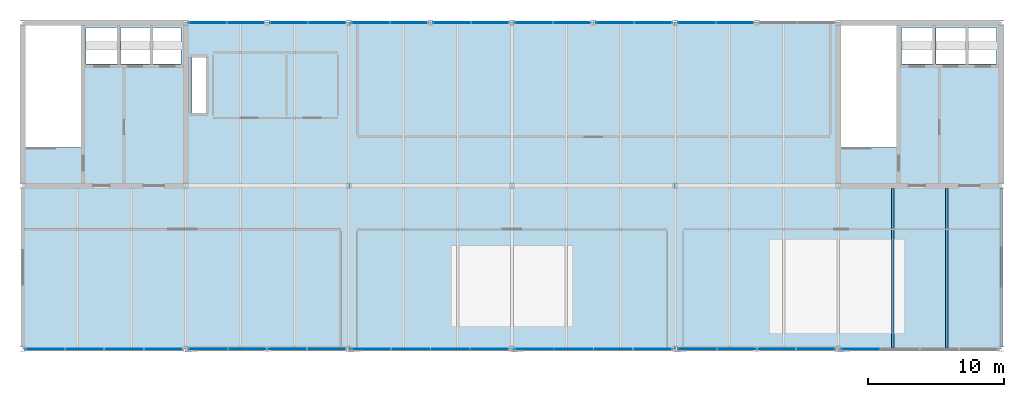
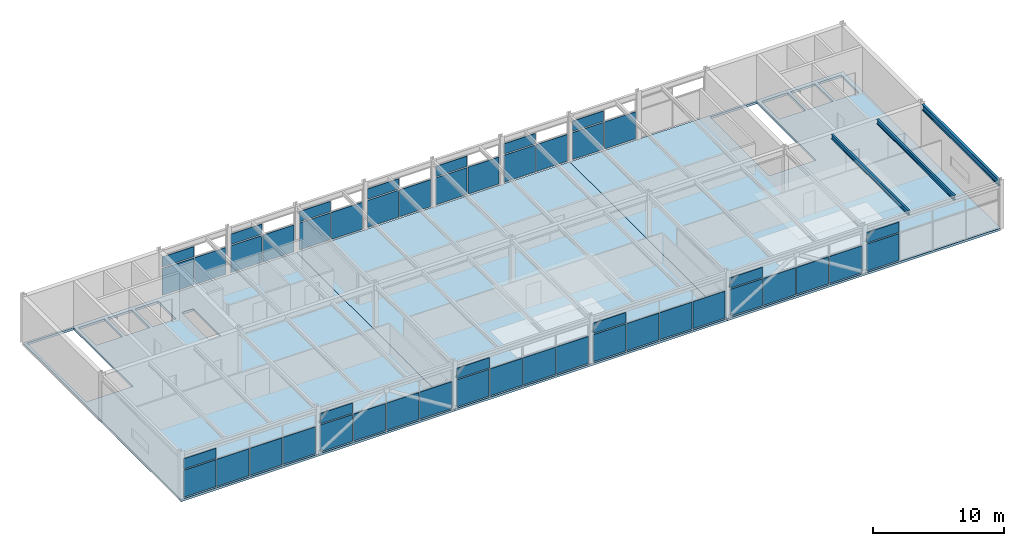
# One storey, part 25 of 28: 48 plates, 3 beams, 3 slabs, 13 elements without a shape of their own.
"""IFC4 building model written with IfcOpenShell, lengths in metres."""

from ifc_helpers import new_model, si_unit, direction, frame, origin, origin_2d, place, context, subcontext, project, spatial, polyline, rectangle, i_section, outline, extrude, material, layer, layer_set, material_profile, profile_set, type_object, element, aggregate, save


model = new_model("IFC4")

# Units and contexts
model_context = context("Model", 3, precision=1e-05, world=origin(), true_north=direction((0.0, 1.0)))
body_context = subcontext(model_context, "Body", "Model", "MODEL_VIEW")
ifc_project = project(units=[si_unit("LENGTHUNIT", "METRE"), si_unit("AREAUNIT", "SQUARE_METRE"), si_unit("VOLUMEUNIT", "CUBIC_METRE"), si_unit("PLANEANGLEUNIT", "RADIAN"), si_unit("MASSUNIT", "GRAM", prefix="KILO")], contexts=[model_context])

# Site, building, storey
site_placement = place(None, origin())
site = spatial("IfcSite", under=ifc_project, at=site_placement, CompositionType="ELEMENT")
building_placement = place(site_placement, origin())
building = spatial("IfcBuilding", under=site, at=building_placement, Name="Girod Span Mobility Hub", CompositionType="ELEMENT")
storey_placement = place(building_placement, frame((0.0, 0.0, 69.60009765625)))
storey = spatial("IfcBuildingStorey", under=building, at=storey_placement, Name="L17", CompositionType="ELEMENT", Elevation=69.60009765625)

# Beams
ifc_material_1 = material(Name="Steel A992 Grade 50", Category="steel")
ifc_material_profile_1 = material_profile(ifc_material_1, i_section(OverallWidth=0.178955078125, OverallDepth=0.409912109375, WebThickness=0.0087890625, FlangeThickness=0.014404296875, FilletRadius=0.012939453125, at=origin_2d()), Name="W16X45")
ifc_profile_set_1 = profile_set([ifc_material_profile_1], Name="Steel A992 Grade 50")
beam_type_1 = type_object("IfcBeamType", Name="BM-STL-W16X45", PredefinedType="BEAM", material=ifc_profile_set_1)
for number, where, z_axis, x_axis, name in (
    (1, (112.0, 45.10302734375, 4.1748046875), (0.0, 1.0, 0.0), (-1.0, 0.0, 0.0), "Composite Floorbeam 10/D-1 L17"),
    (2, (116.0, 45.10302734375, 4.1748046875), (0.0, 1.0, 0.0), (-1.0, 0.0, 0.0), "Composite Floorbeam 10/D-2 L17"),
):
    element("IfcBeam", number, at=place(storey_placement, frame(where, z_axis=z_axis, x_axis=x_axis)), inside=storey, type_object=beam_type_1, Name=name, PredefinedType="BEAM", context=body_context, shape_type="SweptSolid", body=[
        extrude(i_section(OverallWidth=0.178955078125, OverallDepth=0.409912109375, WebThickness=0.0087890625, FlangeThickness=0.014404296875, FilletRadius=0.012939453125, at=origin_2d()), origin(), (0.0, 0.0, 1.0), 11.699951171875),
    ])
ifc_material_2 = material(Name="Steel A992 Grade 50", Category="steel")
ifc_material_profile_2 = material_profile(ifc_material_2, i_section(OverallWidth=0.2119140625, OverallDepth=0.5439453125, WebThickness=0.01318359375, FlangeThickness=0.021240234375, FilletRadius=0.014892578125, at=origin_2d()), Name="W21X83")
ifc_profile_set_2 = profile_set([ifc_material_profile_2], Name="Steel A992 Grade 50")
beam_type_2 = type_object("IfcBeamType", Name="BM-STL-W21X83", PredefinedType="SPANDREL", material=ifc_profile_set_2)
beam_placement = place(storey_placement, frame((120.0, 45.175048828125, 4.10791015625), z_axis=(0.0, 1.0, 0.0), x_axis=(-1.0, 0.0, 0.0)))
element("IfcBeam", 3, at=beam_placement, inside=storey, type_object=beam_type_2, Name="Tie Girder 11/D-E L17", PredefinedType="SPANDREL", context=body_context, shape_type="SweptSolid", body=[
    extrude(i_section(OverallWidth=0.2119140625, OverallDepth=0.5439453125, WebThickness=0.01318359375, FlangeThickness=0.021240234375, FilletRadius=0.014892578125, at=origin_2d()), origin(), (0.0, 0.0, 1.0), 11.64990234375),
])

# Curtain wall, plate
ifc_material_3 = material(Name="Thermally Broken Anodised Aluminium", Category="aluminium")
curtain_wall_type_1 = type_object("IfcCurtainWallType", Name="CW-564X384", PredefinedType="USERDEFINED", material=ifc_material_3)
curtain_wall_1_placement = place(storey_placement, origin())
curtain_wall_1 = element("IfcCurtainWall", 4, at=curtain_wall_1_placement, inside=storey, type_object=curtain_wall_type_1, Name="Unitised Curtain Wall CW-L17-N06W L17", ObjectType="UNITISED CURTAIN WALL", PredefinedType="USERDEFINED")
ifc_material_4 = material(Name="Double Low-E Insulated Glazing", Category="glass")
ifc_layer_1 = layer(ifc_material_4, 0.05810546875)
ifc_layer_set_1 = layer_set([ifc_layer_1], Name="Double Low-E Insulated Glazing")
plate_type_1 = type_object("IfcPlateType", Name="PLT-SPN-2748X994X58", PredefinedType="CURTAIN_PANEL", material=ifc_layer_set_1)
plate_1_placement = place(storey_placement, frame((61.59130859375, 69.0, 2.76171875), z_axis=(0.0, 0.0, 1.0), x_axis=(1.0, 0.0, 0.0)))
plate_1 = element("IfcPlate", 5, at=plate_1_placement, type_object=plate_type_1, Name="Spandrel Glazing Panel CW-L17-N06W-S1", PredefinedType="CURTAIN_PANEL", context=body_context, shape_type="SweptSolid", body=[
    extrude(rectangle(XDim=2.75341796875, YDim=0.05810546875, at=origin_2d()), origin(), (0.0, 0.0, 1.0), 0.9541015625),
])

curtain_wall_2_placement = place(storey_placement, origin())
curtain_wall_2 = element("IfcCurtainWall", 6, at=curtain_wall_2_placement, inside=storey, type_object=curtain_wall_type_1, Name="Unitised Curtain Wall CW-L17-N06E L17", ObjectType="UNITISED CURTAIN WALL", PredefinedType="USERDEFINED")
plate_2_placement = place(storey_placement, frame((67.59130859375, 69.0, 2.76171875), z_axis=(0.0, 0.0, 1.0), x_axis=(1.0, 0.0, 0.0)))
plate_2 = element("IfcPlate", 7, at=plate_2_placement, type_object=plate_type_1, Name="Spandrel Glazing Panel CW-L17-N06E-S1", PredefinedType="CURTAIN_PANEL", context=body_context, shape_type="SweptSolid", body=[
    extrude(rectangle(XDim=2.75341796875, YDim=0.05810546875, at=origin_2d()), origin(), (0.0, 0.0, 1.0), 0.9541015625),
])

curtain_wall_3_placement = place(storey_placement, origin())
curtain_wall_3 = element("IfcCurtainWall", 8, at=curtain_wall_3_placement, inside=storey, type_object=curtain_wall_type_1, Name="Unitised Curtain Wall CW-L17-N07W L17", ObjectType="UNITISED CURTAIN WALL", PredefinedType="USERDEFINED")
plate_3_placement = place(storey_placement, frame((73.59130859375, 69.0, 2.76171875), z_axis=(0.0, 0.0, 1.0), x_axis=(1.0, 0.0, 0.0)))
plate_3 = element("IfcPlate", 9, at=plate_3_placement, type_object=plate_type_1, Name="Spandrel Glazing Panel CW-L17-N07W-S1", PredefinedType="CURTAIN_PANEL", context=body_context, shape_type="SweptSolid", body=[
    extrude(rectangle(XDim=2.75341796875, YDim=0.05810546875, at=origin_2d()), origin(), (0.0, 0.0, 1.0), 0.9541015625),
])

curtain_wall_4_placement = place(storey_placement, origin())
curtain_wall_4 = element("IfcCurtainWall", 10, at=curtain_wall_4_placement, inside=storey, type_object=curtain_wall_type_1, Name="Unitised Curtain Wall CW-L17-N07E L17", ObjectType="UNITISED CURTAIN WALL", PredefinedType="USERDEFINED")
plate_4_placement = place(storey_placement, frame((79.59130859375, 69.0, 2.76171875), z_axis=(0.0, 0.0, 1.0), x_axis=(1.0, 0.0, 0.0)))
plate_4 = element("IfcPlate", 11, at=plate_4_placement, type_object=plate_type_1, Name="Spandrel Glazing Panel CW-L17-N07E-S1", PredefinedType="CURTAIN_PANEL", context=body_context, shape_type="SweptSolid", body=[
    extrude(rectangle(XDim=2.75341796875, YDim=0.05810546875, at=origin_2d()), origin(), (0.0, 0.0, 1.0), 0.9541015625),
])

curtain_wall_5_placement = place(storey_placement, origin())
curtain_wall_5 = element("IfcCurtainWall", 12, at=curtain_wall_5_placement, inside=storey, type_object=curtain_wall_type_1, Name="Unitised Curtain Wall CW-L17-N08W L17", ObjectType="UNITISED CURTAIN WALL", PredefinedType="USERDEFINED")
plate_5_placement = place(storey_placement, frame((85.59130859375, 69.0, 2.76171875), z_axis=(0.0, 0.0, 1.0), x_axis=(1.0, 0.0, 0.0)))
plate_5 = element("IfcPlate", 13, at=plate_5_placement, type_object=plate_type_1, Name="Spandrel Glazing Panel CW-L17-N08W-S1", PredefinedType="CURTAIN_PANEL", context=body_context, shape_type="SweptSolid", body=[
    extrude(rectangle(XDim=2.75341796875, YDim=0.05810546875, at=origin_2d()), origin(), (0.0, 0.0, 1.0), 0.9541015625),
])

curtain_wall_6_placement = place(storey_placement, origin())
curtain_wall_6 = element("IfcCurtainWall", 14, at=curtain_wall_6_placement, inside=storey, type_object=curtain_wall_type_1, Name="Unitised Curtain Wall CW-L17-N08E L17", ObjectType="UNITISED CURTAIN WALL", PredefinedType="USERDEFINED")
plate_6_placement = place(storey_placement, frame((91.59130859375, 69.0, 2.76171875), z_axis=(0.0, 0.0, 1.0), x_axis=(1.0, 0.0, 0.0)))
plate_6 = element("IfcPlate", 15, at=plate_6_placement, type_object=plate_type_1, Name="Spandrel Glazing Panel CW-L17-N08E-S1", PredefinedType="CURTAIN_PANEL", context=body_context, shape_type="SweptSolid", body=[
    extrude(rectangle(XDim=2.75341796875, YDim=0.05810546875, at=origin_2d()), origin(), (0.0, 0.0, 1.0), 0.9541015625),
])

curtain_wall_7_placement = place(storey_placement, origin())
curtain_wall_7 = element("IfcCurtainWall", 16, at=curtain_wall_7_placement, inside=storey, type_object=curtain_wall_type_1, Name="Unitised Curtain Wall CW-L17-N09W L17", ObjectType="UNITISED CURTAIN WALL", PredefinedType="USERDEFINED")
plate_7_placement = place(storey_placement, frame((97.59130859375, 69.0, 2.76171875), z_axis=(0.0, 0.0, 1.0), x_axis=(1.0, 0.0, 0.0)))
plate_7 = element("IfcPlate", 17, at=plate_7_placement, type_object=plate_type_1, Name="Spandrel Glazing Panel CW-L17-N09W-S1", PredefinedType="CURTAIN_PANEL", context=body_context, shape_type="SweptSolid", body=[
    extrude(rectangle(XDim=2.75341796875, YDim=0.05810546875, at=origin_2d()), origin(), (0.0, 0.0, 1.0), 0.9541015625),
])

ifc_material_5 = material(Name="Thermally Broken Anodised Aluminium", Category="aluminium")
curtain_wall_type_2 = type_object("IfcCurtainWallType", Name="CW-1164X384", PredefinedType="USERDEFINED", material=ifc_material_5)
curtain_wall_8_placement = place(storey_placement, origin())
curtain_wall_8 = element("IfcCurtainWall", 18, at=curtain_wall_8_placement, inside=storey, type_object=curtain_wall_type_2, Name="Unitised Curtain Wall CW-L17-S05 L17", ObjectType="UNITISED CURTAIN WALL", PredefinedType="USERDEFINED")
ifc_material_6 = material(Name="Double Low-E Insulated Glazing", Category="glass")
ifc_layer_2 = layer(ifc_material_6, 0.05810546875)
ifc_layer_set_2 = layer_set([ifc_layer_2], Name="Double Low-E Insulated Glazing")
plate_type_2 = type_object("IfcPlateType", Name="PLT-SPN-2839X994X58", PredefinedType="CURTAIN_PANEL", material=ifc_layer_set_2)
plate_8_placement = place(storey_placement, frame((49.636962890625, 45.0, 2.76171875), z_axis=(0.0, 0.0, 1.0), x_axis=(1.0, 0.0, 0.0)))
plate_8 = element("IfcPlate", 19, at=plate_8_placement, type_object=plate_type_2, Name="Spandrel Glazing Panel CW-L17-S05-S1", PredefinedType="CURTAIN_PANEL", context=body_context, shape_type="SweptSolid", body=[
    extrude(rectangle(XDim=2.8447265625, YDim=0.05810546875, at=origin_2d()), origin(), (0.0, 0.0, 1.0), 0.9541015625),
])

curtain_wall_9_placement = place(storey_placement, origin())
curtain_wall_9 = element("IfcCurtainWall", 20, at=curtain_wall_9_placement, inside=storey, type_object=curtain_wall_type_2, Name="Unitised Curtain Wall CW-L17-S06 L17", ObjectType="UNITISED CURTAIN WALL", PredefinedType="USERDEFINED")
plate_9_placement = place(storey_placement, frame((61.636962890625, 45.0, 2.76171875), z_axis=(0.0, 0.0, 1.0), x_axis=(1.0, 0.0, 0.0)))
plate_9 = element("IfcPlate", 21, at=plate_9_placement, type_object=plate_type_2, Name="Spandrel Glazing Panel CW-L17-S06-S1", PredefinedType="CURTAIN_PANEL", context=body_context, shape_type="SweptSolid", body=[
    extrude(rectangle(XDim=2.8447265625, YDim=0.05810546875, at=origin_2d()), origin(), (0.0, 0.0, 1.0), 0.9541015625),
])

curtain_wall_10_placement = place(storey_placement, origin())
curtain_wall_10 = element("IfcCurtainWall", 22, at=curtain_wall_10_placement, inside=storey, type_object=curtain_wall_type_2, Name="Unitised Curtain Wall CW-L17-S07 L17", ObjectType="UNITISED CURTAIN WALL", PredefinedType="USERDEFINED")
plate_10_placement = place(storey_placement, frame((73.636962890625, 45.0, 2.76171875), z_axis=(0.0, 0.0, 1.0), x_axis=(1.0, 0.0, 0.0)))
plate_10 = element("IfcPlate", 23, at=plate_10_placement, type_object=plate_type_2, Name="Spandrel Glazing Panel CW-L17-S07-S1", PredefinedType="CURTAIN_PANEL", context=body_context, shape_type="SweptSolid", body=[
    extrude(rectangle(XDim=2.8447265625, YDim=0.05810546875, at=origin_2d()), origin(), (0.0, 0.0, 1.0), 0.9541015625),
])

curtain_wall_11_placement = place(storey_placement, origin())
curtain_wall_11 = element("IfcCurtainWall", 24, at=curtain_wall_11_placement, inside=storey, type_object=curtain_wall_type_2, Name="Unitised Curtain Wall CW-L17-S08 L17", ObjectType="UNITISED CURTAIN WALL", PredefinedType="USERDEFINED")
plate_11_placement = place(storey_placement, frame((85.636962890625, 45.0, 2.76171875), z_axis=(0.0, 0.0, 1.0), x_axis=(1.0, 0.0, 0.0)))
plate_11 = element("IfcPlate", 25, at=plate_11_placement, type_object=plate_type_2, Name="Spandrel Glazing Panel CW-L17-S08-S1", PredefinedType="CURTAIN_PANEL", context=body_context, shape_type="SweptSolid", body=[
    extrude(rectangle(XDim=2.8447265625, YDim=0.05810546875, at=origin_2d()), origin(), (0.0, 0.0, 1.0), 0.9541015625),
])

curtain_wall_12_placement = place(storey_placement, origin())
curtain_wall_12 = element("IfcCurtainWall", 26, at=curtain_wall_12_placement, inside=storey, type_object=curtain_wall_type_2, Name="Unitised Curtain Wall CW-L17-S09 L17", ObjectType="UNITISED CURTAIN WALL", PredefinedType="USERDEFINED")
plate_12_placement = place(storey_placement, frame((97.636962890625, 45.0, 2.76171875), z_axis=(0.0, 0.0, 1.0), x_axis=(1.0, 0.0, 0.0)))
plate_12 = element("IfcPlate", 27, at=plate_12_placement, type_object=plate_type_2, Name="Spandrel Glazing Panel CW-L17-S09-S1", PredefinedType="CURTAIN_PANEL", context=body_context, shape_type="SweptSolid", body=[
    extrude(rectangle(XDim=2.8447265625, YDim=0.05810546875, at=origin_2d()), origin(), (0.0, 0.0, 1.0), 0.9541015625),
])

curtain_wall_13_placement = place(storey_placement, origin())
curtain_wall_13 = element("IfcCurtainWall", 28, at=curtain_wall_13_placement, inside=storey, type_object=curtain_wall_type_2, Name="Unitised Curtain Wall CW-L17-S10 L17", ObjectType="UNITISED CURTAIN WALL", PredefinedType="USERDEFINED")
plate_13_placement = place(storey_placement, frame((109.636962890625, 45.0, 2.76171875), z_axis=(0.0, 0.0, 1.0), x_axis=(1.0, 0.0, 0.0)))
plate_13 = element("IfcPlate", 29, at=plate_13_placement, type_object=plate_type_2, Name="Spandrel Glazing Panel CW-L17-S10-S1", PredefinedType="CURTAIN_PANEL", context=body_context, shape_type="SweptSolid", body=[
    extrude(rectangle(XDim=2.8447265625, YDim=0.05810546875, at=origin_2d()), origin(), (0.0, 0.0, 1.0), 0.9541015625),
])

# Plate
ifc_material_7 = material(Name="Double Low-E Insulated Glazing", Category="glass")
ifc_layer_3 = layer(ifc_material_7, 0.0458984375)
ifc_layer_set_3 = layer_set([ifc_layer_3], Name="Double Low-E Insulated Glazing")
plate_type_3 = type_object("IfcPlateType", Name="PLT-VIS-2748X2762X46", PredefinedType="CURTAIN_PANEL", material=ifc_layer_set_3)
plate_14_placement = place(storey_placement, frame((61.59130859375, 69.0, 0.139892578125), z_axis=(0.0, 0.0, 1.0), x_axis=(1.0, 0.0, 0.0)))
plate_14 = element("IfcPlate", 30, at=plate_14_placement, type_object=plate_type_3, Name="Vision Glazing Panel CW-L17-N06W-V1", PredefinedType="CURTAIN_PANEL", context=body_context, shape_type="SweptSolid", body=[
    extrude(rectangle(XDim=2.75341796875, YDim=0.0458984375, at=origin_2d()), origin(), (0.0, 0.0, 1.0), 2.501953125),
])

plate_15_placement = place(storey_placement, frame((64.40869140625, 69.0, 0.139892578125), z_axis=(0.0, 0.0, 1.0), x_axis=(1.0, 0.0, 0.0)))
plate_15 = element("IfcPlate", 31, at=plate_15_placement, type_object=plate_type_3, Name="Vision Glazing Panel CW-L17-N06W-V2", PredefinedType="CURTAIN_PANEL", context=body_context, shape_type="SweptSolid", body=[
    extrude(rectangle(XDim=2.75341796875, YDim=0.0458984375, at=origin_2d()), origin(), (0.0, 0.0, 1.0), 2.501953125),
])

aggregate(curtain_wall_1, [plate_14, plate_1, plate_15])

plate_16_placement = place(storey_placement, frame((67.59130859375, 69.0, 0.139892578125), z_axis=(0.0, 0.0, 1.0), x_axis=(1.0, 0.0, 0.0)))
plate_16 = element("IfcPlate", 32, at=plate_16_placement, type_object=plate_type_3, Name="Vision Glazing Panel CW-L17-N06E-V1", PredefinedType="CURTAIN_PANEL", context=body_context, shape_type="SweptSolid", body=[
    extrude(rectangle(XDim=2.75341796875, YDim=0.0458984375, at=origin_2d()), origin(), (0.0, 0.0, 1.0), 2.501953125),
])

plate_17_placement = place(storey_placement, frame((70.40869140625, 69.0, 0.139892578125), z_axis=(0.0, 0.0, 1.0), x_axis=(1.0, 0.0, 0.0)))
plate_17 = element("IfcPlate", 33, at=plate_17_placement, type_object=plate_type_3, Name="Vision Glazing Panel CW-L17-N06E-V2", PredefinedType="CURTAIN_PANEL", context=body_context, shape_type="SweptSolid", body=[
    extrude(rectangle(XDim=2.75341796875, YDim=0.0458984375, at=origin_2d()), origin(), (0.0, 0.0, 1.0), 2.501953125),
])

aggregate(curtain_wall_2, [plate_16, plate_2, plate_17])

plate_18_placement = place(storey_placement, frame((73.59130859375, 69.0, 0.139892578125), z_axis=(0.0, 0.0, 1.0), x_axis=(1.0, 0.0, 0.0)))
plate_18 = element("IfcPlate", 34, at=plate_18_placement, type_object=plate_type_3, Name="Vision Glazing Panel CW-L17-N07W-V1", PredefinedType="CURTAIN_PANEL", context=body_context, shape_type="SweptSolid", body=[
    extrude(rectangle(XDim=2.75341796875, YDim=0.0458984375, at=origin_2d()), origin(), (0.0, 0.0, 1.0), 2.501953125),
])

plate_19_placement = place(storey_placement, frame((76.40869140625, 69.0, 0.139892578125), z_axis=(0.0, 0.0, 1.0), x_axis=(1.0, 0.0, 0.0)))
plate_19 = element("IfcPlate", 35, at=plate_19_placement, type_object=plate_type_3, Name="Vision Glazing Panel CW-L17-N07W-V2", PredefinedType="CURTAIN_PANEL", context=body_context, shape_type="SweptSolid", body=[
    extrude(rectangle(XDim=2.75341796875, YDim=0.0458984375, at=origin_2d()), origin(), (0.0, 0.0, 1.0), 2.501953125),
])

aggregate(curtain_wall_3, [plate_18, plate_3, plate_19])

plate_20_placement = place(storey_placement, frame((79.59130859375, 69.0, 0.139892578125), z_axis=(0.0, 0.0, 1.0), x_axis=(1.0, 0.0, 0.0)))
plate_20 = element("IfcPlate", 36, at=plate_20_placement, type_object=plate_type_3, Name="Vision Glazing Panel CW-L17-N07E-V1", PredefinedType="CURTAIN_PANEL", context=body_context, shape_type="SweptSolid", body=[
    extrude(rectangle(XDim=2.75341796875, YDim=0.0458984375, at=origin_2d()), origin(), (0.0, 0.0, 1.0), 2.501953125),
])

plate_21_placement = place(storey_placement, frame((82.40869140625, 69.0, 0.139892578125), z_axis=(0.0, 0.0, 1.0), x_axis=(1.0, 0.0, 0.0)))
plate_21 = element("IfcPlate", 37, at=plate_21_placement, type_object=plate_type_3, Name="Vision Glazing Panel CW-L17-N07E-V2", PredefinedType="CURTAIN_PANEL", context=body_context, shape_type="SweptSolid", body=[
    extrude(rectangle(XDim=2.75341796875, YDim=0.0458984375, at=origin_2d()), origin(), (0.0, 0.0, 1.0), 2.501953125),
])

aggregate(curtain_wall_4, [plate_20, plate_4, plate_21])

plate_22_placement = place(storey_placement, frame((85.59130859375, 69.0, 0.139892578125), z_axis=(0.0, 0.0, 1.0), x_axis=(1.0, 0.0, 0.0)))
plate_22 = element("IfcPlate", 38, at=plate_22_placement, type_object=plate_type_3, Name="Vision Glazing Panel CW-L17-N08W-V1", PredefinedType="CURTAIN_PANEL", context=body_context, shape_type="SweptSolid", body=[
    extrude(rectangle(XDim=2.75341796875, YDim=0.0458984375, at=origin_2d()), origin(), (0.0, 0.0, 1.0), 2.501953125),
])

plate_23_placement = place(storey_placement, frame((88.40869140625, 69.0, 0.139892578125), z_axis=(0.0, 0.0, 1.0), x_axis=(1.0, 0.0, 0.0)))
plate_23 = element("IfcPlate", 39, at=plate_23_placement, type_object=plate_type_3, Name="Vision Glazing Panel CW-L17-N08W-V2", PredefinedType="CURTAIN_PANEL", context=body_context, shape_type="SweptSolid", body=[
    extrude(rectangle(XDim=2.75341796875, YDim=0.0458984375, at=origin_2d()), origin(), (0.0, 0.0, 1.0), 2.501953125),
])

aggregate(curtain_wall_5, [plate_22, plate_5, plate_23])

plate_24_placement = place(storey_placement, frame((91.59130859375, 69.0, 0.139892578125), z_axis=(0.0, 0.0, 1.0), x_axis=(1.0, 0.0, 0.0)))
plate_24 = element("IfcPlate", 40, at=plate_24_placement, type_object=plate_type_3, Name="Vision Glazing Panel CW-L17-N08E-V1", PredefinedType="CURTAIN_PANEL", context=body_context, shape_type="SweptSolid", body=[
    extrude(rectangle(XDim=2.75341796875, YDim=0.0458984375, at=origin_2d()), origin(), (0.0, 0.0, 1.0), 2.501953125),
])

plate_25_placement = place(storey_placement, frame((94.40869140625, 69.0, 0.139892578125), z_axis=(0.0, 0.0, 1.0), x_axis=(1.0, 0.0, 0.0)))
plate_25 = element("IfcPlate", 41, at=plate_25_placement, type_object=plate_type_3, Name="Vision Glazing Panel CW-L17-N08E-V2", PredefinedType="CURTAIN_PANEL", context=body_context, shape_type="SweptSolid", body=[
    extrude(rectangle(XDim=2.75341796875, YDim=0.0458984375, at=origin_2d()), origin(), (0.0, 0.0, 1.0), 2.501953125),
])

aggregate(curtain_wall_6, [plate_24, plate_6, plate_25])

plate_26_placement = place(storey_placement, frame((97.59130859375, 69.0, 0.139892578125), z_axis=(0.0, 0.0, 1.0), x_axis=(1.0, 0.0, 0.0)))
plate_26 = element("IfcPlate", 42, at=plate_26_placement, type_object=plate_type_3, Name="Vision Glazing Panel CW-L17-N09W-V1", PredefinedType="CURTAIN_PANEL", context=body_context, shape_type="SweptSolid", body=[
    extrude(rectangle(XDim=2.75341796875, YDim=0.0458984375, at=origin_2d()), origin(), (0.0, 0.0, 1.0), 2.501953125),
])

plate_27_placement = place(storey_placement, frame((100.40869140625, 69.0, 0.139892578125), z_axis=(0.0, 0.0, 1.0), x_axis=(1.0, 0.0, 0.0)))
plate_27 = element("IfcPlate", 43, at=plate_27_placement, type_object=plate_type_3, Name="Vision Glazing Panel CW-L17-N09W-V2", PredefinedType="CURTAIN_PANEL", context=body_context, shape_type="SweptSolid", body=[
    extrude(rectangle(XDim=2.75341796875, YDim=0.0458984375, at=origin_2d()), origin(), (0.0, 0.0, 1.0), 2.501953125),
])

aggregate(curtain_wall_7, [plate_26, plate_7, plate_27])

ifc_material_8 = material(Name="Double Low-E Insulated Glazing", Category="glass")
ifc_layer_4 = layer(ifc_material_8, 0.0458984375)
ifc_layer_set_4 = layer_set([ifc_layer_4], Name="Double Low-E Insulated Glazing")
plate_type_4 = type_object("IfcPlateType", Name="PLT-VIS-2839X2762X46", PredefinedType="CURTAIN_PANEL", material=ifc_layer_set_4)
plate_28_placement = place(storey_placement, frame((49.636962890625, 45.0, 0.139892578125), z_axis=(0.0, 0.0, 1.0), x_axis=(1.0, 0.0, 0.0)))
plate_28 = element("IfcPlate", 44, at=plate_28_placement, type_object=plate_type_4, Name="Vision Glazing Panel CW-L17-S05-V1", PredefinedType="CURTAIN_PANEL", context=body_context, shape_type="SweptSolid", body=[
    extrude(rectangle(XDim=2.8447265625, YDim=0.0458984375, at=origin_2d()), origin(), (0.0, 0.0, 1.0), 2.501953125),
])

plate_29_placement = place(storey_placement, frame((52.545654296875, 45.0, 0.139892578125), z_axis=(0.0, 0.0, 1.0), x_axis=(1.0, 0.0, 0.0)))
plate_29 = element("IfcPlate", 45, at=plate_29_placement, type_object=plate_type_4, Name="Vision Glazing Panel CW-L17-S05-V2", PredefinedType="CURTAIN_PANEL", context=body_context, shape_type="SweptSolid", body=[
    extrude(rectangle(XDim=2.8447265625, YDim=0.0458984375, at=origin_2d()), origin(), (0.0, 0.0, 1.0), 2.501953125),
])

plate_30_placement = place(storey_placement, frame((55.454345703125, 45.0, 0.139892578125), z_axis=(0.0, 0.0, 1.0), x_axis=(1.0, 0.0, 0.0)))
plate_30 = element("IfcPlate", 46, at=plate_30_placement, type_object=plate_type_4, Name="Vision Glazing Panel CW-L17-S05-V3", PredefinedType="CURTAIN_PANEL", context=body_context, shape_type="SweptSolid", body=[
    extrude(rectangle(XDim=2.8447265625, YDim=0.0458984375, at=origin_2d()), origin(), (0.0, 0.0, 1.0), 2.501953125),
])

plate_31_placement = place(storey_placement, frame((58.363037109375, 45.0, 0.139892578125), z_axis=(0.0, 0.0, 1.0), x_axis=(1.0, 0.0, 0.0)))
plate_31 = element("IfcPlate", 47, at=plate_31_placement, type_object=plate_type_4, Name="Vision Glazing Panel CW-L17-S05-V4", PredefinedType="CURTAIN_PANEL", context=body_context, shape_type="SweptSolid", body=[
    extrude(rectangle(XDim=2.8447265625, YDim=0.0458984375, at=origin_2d()), origin(), (0.0, 0.0, 1.0), 2.501953125),
])

aggregate(curtain_wall_8, [plate_28, plate_8, plate_29, plate_30, plate_31])

plate_32_placement = place(storey_placement, frame((61.636962890625, 45.0, 0.139892578125), z_axis=(0.0, 0.0, 1.0), x_axis=(1.0, 0.0, 0.0)))
plate_32 = element("IfcPlate", 48, at=plate_32_placement, type_object=plate_type_4, Name="Vision Glazing Panel CW-L17-S06-V1", PredefinedType="CURTAIN_PANEL", context=body_context, shape_type="SweptSolid", body=[
    extrude(rectangle(XDim=2.8447265625, YDim=0.0458984375, at=origin_2d()), origin(), (0.0, 0.0, 1.0), 2.501953125),
])

plate_33_placement = place(storey_placement, frame((64.545654296875, 45.0, 0.139892578125), z_axis=(0.0, 0.0, 1.0), x_axis=(1.0, 0.0, 0.0)))
plate_33 = element("IfcPlate", 49, at=plate_33_placement, type_object=plate_type_4, Name="Vision Glazing Panel CW-L17-S06-V2", PredefinedType="CURTAIN_PANEL", context=body_context, shape_type="SweptSolid", body=[
    extrude(rectangle(XDim=2.8447265625, YDim=0.0458984375, at=origin_2d()), origin(), (0.0, 0.0, 1.0), 2.501953125),
])

plate_34_placement = place(storey_placement, frame((67.454345703125, 45.0, 0.139892578125), z_axis=(0.0, 0.0, 1.0), x_axis=(1.0, 0.0, 0.0)))
plate_34 = element("IfcPlate", 50, at=plate_34_placement, type_object=plate_type_4, Name="Vision Glazing Panel CW-L17-S06-V3", PredefinedType="CURTAIN_PANEL", context=body_context, shape_type="SweptSolid", body=[
    extrude(rectangle(XDim=2.8447265625, YDim=0.0458984375, at=origin_2d()), origin(), (0.0, 0.0, 1.0), 2.501953125),
])

plate_35_placement = place(storey_placement, frame((70.363037109375, 45.0, 0.139892578125), z_axis=(0.0, 0.0, 1.0), x_axis=(1.0, 0.0, 0.0)))
plate_35 = element("IfcPlate", 51, at=plate_35_placement, type_object=plate_type_4, Name="Vision Glazing Panel CW-L17-S06-V4", PredefinedType="CURTAIN_PANEL", context=body_context, shape_type="SweptSolid", body=[
    extrude(rectangle(XDim=2.8447265625, YDim=0.0458984375, at=origin_2d()), origin(), (0.0, 0.0, 1.0), 2.501953125),
])

aggregate(curtain_wall_9, [plate_32, plate_9, plate_33, plate_34, plate_35])

plate_36_placement = place(storey_placement, frame((73.636962890625, 45.0, 0.139892578125), z_axis=(0.0, 0.0, 1.0), x_axis=(1.0, 0.0, 0.0)))
plate_36 = element("IfcPlate", 52, at=plate_36_placement, type_object=plate_type_4, Name="Vision Glazing Panel CW-L17-S07-V1", PredefinedType="CURTAIN_PANEL", context=body_context, shape_type="SweptSolid", body=[
    extrude(rectangle(XDim=2.8447265625, YDim=0.0458984375, at=origin_2d()), origin(), (0.0, 0.0, 1.0), 2.501953125),
])

plate_37_placement = place(storey_placement, frame((76.545654296875, 45.0, 0.139892578125), z_axis=(0.0, 0.0, 1.0), x_axis=(1.0, 0.0, 0.0)))
plate_37 = element("IfcPlate", 53, at=plate_37_placement, type_object=plate_type_4, Name="Vision Glazing Panel CW-L17-S07-V2", PredefinedType="CURTAIN_PANEL", context=body_context, shape_type="SweptSolid", body=[
    extrude(rectangle(XDim=2.8447265625, YDim=0.0458984375, at=origin_2d()), origin(), (0.0, 0.0, 1.0), 2.501953125),
])

plate_38_placement = place(storey_placement, frame((79.454345703125, 45.0, 0.139892578125), z_axis=(0.0, 0.0, 1.0), x_axis=(1.0, 0.0, 0.0)))
plate_38 = element("IfcPlate", 54, at=plate_38_placement, type_object=plate_type_4, Name="Vision Glazing Panel CW-L17-S07-V3", PredefinedType="CURTAIN_PANEL", context=body_context, shape_type="SweptSolid", body=[
    extrude(rectangle(XDim=2.8447265625, YDim=0.0458984375, at=origin_2d()), origin(), (0.0, 0.0, 1.0), 2.501953125),
])

plate_39_placement = place(storey_placement, frame((82.363037109375, 45.0, 0.139892578125), z_axis=(0.0, 0.0, 1.0), x_axis=(1.0, 0.0, 0.0)))
plate_39 = element("IfcPlate", 55, at=plate_39_placement, type_object=plate_type_4, Name="Vision Glazing Panel CW-L17-S07-V4", PredefinedType="CURTAIN_PANEL", context=body_context, shape_type="SweptSolid", body=[
    extrude(rectangle(XDim=2.8447265625, YDim=0.0458984375, at=origin_2d()), origin(), (0.0, 0.0, 1.0), 2.501953125),
])

aggregate(curtain_wall_10, [plate_36, plate_10, plate_37, plate_38, plate_39])

plate_40_placement = place(storey_placement, frame((85.636962890625, 45.0, 0.139892578125), z_axis=(0.0, 0.0, 1.0), x_axis=(1.0, 0.0, 0.0)))
plate_40 = element("IfcPlate", 56, at=plate_40_placement, type_object=plate_type_4, Name="Vision Glazing Panel CW-L17-S08-V1", PredefinedType="CURTAIN_PANEL", context=body_context, shape_type="SweptSolid", body=[
    extrude(rectangle(XDim=2.8447265625, YDim=0.0458984375, at=origin_2d()), origin(), (0.0, 0.0, 1.0), 2.501953125),
])

plate_41_placement = place(storey_placement, frame((88.545654296875, 45.0, 0.139892578125), z_axis=(0.0, 0.0, 1.0), x_axis=(1.0, 0.0, 0.0)))
plate_41 = element("IfcPlate", 57, at=plate_41_placement, type_object=plate_type_4, Name="Vision Glazing Panel CW-L17-S08-V2", PredefinedType="CURTAIN_PANEL", context=body_context, shape_type="SweptSolid", body=[
    extrude(rectangle(XDim=2.8447265625, YDim=0.0458984375, at=origin_2d()), origin(), (0.0, 0.0, 1.0), 2.501953125),
])

plate_42_placement = place(storey_placement, frame((91.454345703125, 45.0, 0.139892578125), z_axis=(0.0, 0.0, 1.0), x_axis=(1.0, 0.0, 0.0)))
plate_42 = element("IfcPlate", 58, at=plate_42_placement, type_object=plate_type_4, Name="Vision Glazing Panel CW-L17-S08-V3", PredefinedType="CURTAIN_PANEL", context=body_context, shape_type="SweptSolid", body=[
    extrude(rectangle(XDim=2.8447265625, YDim=0.0458984375, at=origin_2d()), origin(), (0.0, 0.0, 1.0), 2.501953125),
])

plate_43_placement = place(storey_placement, frame((94.363037109375, 45.0, 0.139892578125), z_axis=(0.0, 0.0, 1.0), x_axis=(1.0, 0.0, 0.0)))
plate_43 = element("IfcPlate", 59, at=plate_43_placement, type_object=plate_type_4, Name="Vision Glazing Panel CW-L17-S08-V4", PredefinedType="CURTAIN_PANEL", context=body_context, shape_type="SweptSolid", body=[
    extrude(rectangle(XDim=2.8447265625, YDim=0.0458984375, at=origin_2d()), origin(), (0.0, 0.0, 1.0), 2.501953125),
])

aggregate(curtain_wall_11, [plate_40, plate_11, plate_41, plate_42, plate_43])

plate_44_placement = place(storey_placement, frame((97.636962890625, 45.0, 0.139892578125), z_axis=(0.0, 0.0, 1.0), x_axis=(1.0, 0.0, 0.0)))
plate_44 = element("IfcPlate", 60, at=plate_44_placement, type_object=plate_type_4, Name="Vision Glazing Panel CW-L17-S09-V1", PredefinedType="CURTAIN_PANEL", context=body_context, shape_type="SweptSolid", body=[
    extrude(rectangle(XDim=2.8447265625, YDim=0.0458984375, at=origin_2d()), origin(), (0.0, 0.0, 1.0), 2.501953125),
])

plate_45_placement = place(storey_placement, frame((100.545654296875, 45.0, 0.139892578125), z_axis=(0.0, 0.0, 1.0), x_axis=(1.0, 0.0, 0.0)))
plate_45 = element("IfcPlate", 61, at=plate_45_placement, type_object=plate_type_4, Name="Vision Glazing Panel CW-L17-S09-V2", PredefinedType="CURTAIN_PANEL", context=body_context, shape_type="SweptSolid", body=[
    extrude(rectangle(XDim=2.8447265625, YDim=0.0458984375, at=origin_2d()), origin(), (0.0, 0.0, 1.0), 2.501953125),
])

plate_46_placement = place(storey_placement, frame((103.454345703125, 45.0, 0.139892578125), z_axis=(0.0, 0.0, 1.0), x_axis=(1.0, 0.0, 0.0)))
plate_46 = element("IfcPlate", 62, at=plate_46_placement, type_object=plate_type_4, Name="Vision Glazing Panel CW-L17-S09-V3", PredefinedType="CURTAIN_PANEL", context=body_context, shape_type="SweptSolid", body=[
    extrude(rectangle(XDim=2.8447265625, YDim=0.0458984375, at=origin_2d()), origin(), (0.0, 0.0, 1.0), 2.501953125),
])

plate_47_placement = place(storey_placement, frame((106.363037109375, 45.0, 0.139892578125), z_axis=(0.0, 0.0, 1.0), x_axis=(1.0, 0.0, 0.0)))
plate_47 = element("IfcPlate", 63, at=plate_47_placement, type_object=plate_type_4, Name="Vision Glazing Panel CW-L17-S09-V4", PredefinedType="CURTAIN_PANEL", context=body_context, shape_type="SweptSolid", body=[
    extrude(rectangle(XDim=2.8447265625, YDim=0.0458984375, at=origin_2d()), origin(), (0.0, 0.0, 1.0), 2.501953125),
])

aggregate(curtain_wall_12, [plate_44, plate_12, plate_45, plate_46, plate_47])

plate_48_placement = place(storey_placement, frame((109.636962890625, 45.0, 0.139892578125), z_axis=(0.0, 0.0, 1.0), x_axis=(1.0, 0.0, 0.0)))
plate_48 = element("IfcPlate", 64, at=plate_48_placement, type_object=plate_type_4, Name="Vision Glazing Panel CW-L17-S10-V1", PredefinedType="CURTAIN_PANEL", context=body_context, shape_type="SweptSolid", body=[
    extrude(rectangle(XDim=2.8447265625, YDim=0.0458984375, at=origin_2d()), origin(), (0.0, 0.0, 1.0), 2.501953125),
])

aggregate(curtain_wall_13, [plate_48, plate_13])

# Slabs
ifc_material_9 = material(Name="Concrete C40/50", Category="concrete")
ifc_layer_5 = layer(ifc_material_9, 0.2099609375)
ifc_layer_set_5 = layer_set([ifc_layer_5], Name="Concrete C40/50")
slab_type = type_object("IfcSlabType", Name="SL-FLR-210", PredefinedType="FLOOR", material=ifc_layer_set_5)
slab_1_placement = place(storey_placement, frame((0.0, 0.0, -0.210205078125)))
element("IfcSlab", 65, at=slab_1_placement, inside=storey, type_object=slab_type, Name="Floor Slab L17 Sector W", PredefinedType="FLOOR", context=body_context, shape_type="SweptSolid", body=[
    extrude(outline(polyline([(48.0, 69.0), (72.0, 69.0), (72.0, 45.0), (48.0, 45.0), (48.0, 69.0)]), holes=[polyline([(48.219970703125, 59.8349609375), (52.340087890625, 59.8349609375), (52.340087890625, 68.820068359375), (48.219970703125, 68.820068359375), (48.219970703125, 59.8349609375)]), polyline([(60.449951171875, 62.35009765625), (61.47998046875, 62.35009765625), (61.47998046875, 66.449951171875), (60.449951171875, 66.449951171875), (60.449951171875, 62.35009765625)]), polyline([(52.64990234375, 65.949951171875), (54.949951171875, 65.949951171875), (54.949951171875, 68.64990234375), (52.64990234375, 68.64990234375), (52.64990234375, 65.949951171875)]), polyline([(55.199951171875, 65.949951171875), (57.35009765625, 65.949951171875), (57.35009765625, 68.64990234375), (55.199951171875, 68.64990234375), (55.199951171875, 65.949951171875)]), polyline([(57.60009765625, 65.949951171875), (59.64990234375, 65.949951171875), (59.64990234375, 68.64990234375), (57.60009765625, 68.64990234375), (57.60009765625, 65.949951171875)])]), origin(), (0.0, 0.0, 1.0), 0.210205078125),
])
slab_2_placement = place(storey_placement, frame((0.0, 0.0, -0.210205078125)))
element("IfcSlab", 66, at=slab_2_placement, inside=storey, type_object=slab_type, Name="Floor Slab L17 Sector C", PredefinedType="FLOOR", context=body_context, shape_type="SweptSolid", body=[
    extrude(outline(polyline([(96.0, 69.0), (96.0, 45.0), (72.0, 45.0), (72.0, 69.0), (96.0, 69.0)])), origin(), (0.0, 0.0, 1.0), 0.210205078125),
])
slab_3_placement = place(storey_placement, frame((0.0, 0.0, -0.210205078125)))
element("IfcSlab", 67, at=slab_3_placement, inside=storey, type_object=slab_type, Name="Floor Slab L17 Sector E", PredefinedType="FLOOR", context=body_context, shape_type="SweptSolid", body=[
    extrude(outline(polyline([(120.0, 69.0), (120.0, 45.0), (96.0, 45.0), (96.0, 69.0), (120.0, 69.0)]), holes=[polyline([(108.219970703125, 59.8349609375), (112.340087890625, 59.8349609375), (112.340087890625, 68.820068359375), (108.219970703125, 68.820068359375), (108.219970703125, 59.8349609375)]), polyline([(112.64990234375, 65.949951171875), (114.949951171875, 65.949951171875), (114.949951171875, 68.64990234375), (112.64990234375, 68.64990234375), (112.64990234375, 65.949951171875)]), polyline([(115.199951171875, 68.64990234375), (115.199951171875, 65.949951171875), (117.35009765625, 65.949951171875), (117.35009765625, 68.64990234375), (115.199951171875, 68.64990234375)]), polyline([(117.60009765625, 68.64990234375), (117.60009765625, 65.949951171875), (119.64990234375, 65.949951171875), (119.64990234375, 68.64990234375), (117.60009765625, 68.64990234375)])]), origin(), (0.0, 0.0, 1.0), 0.210205078125),
])

save(model, "model.ifc")
